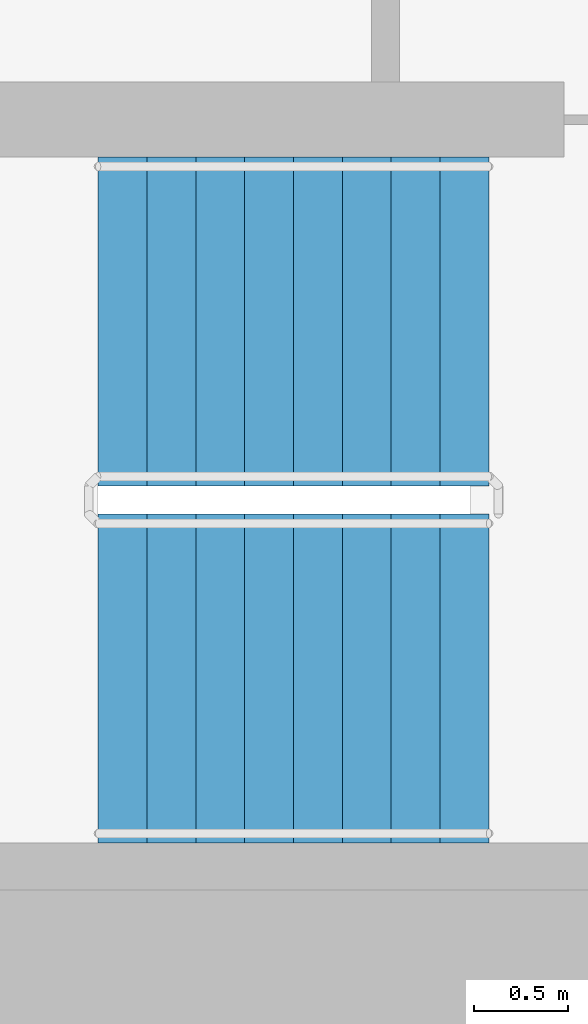
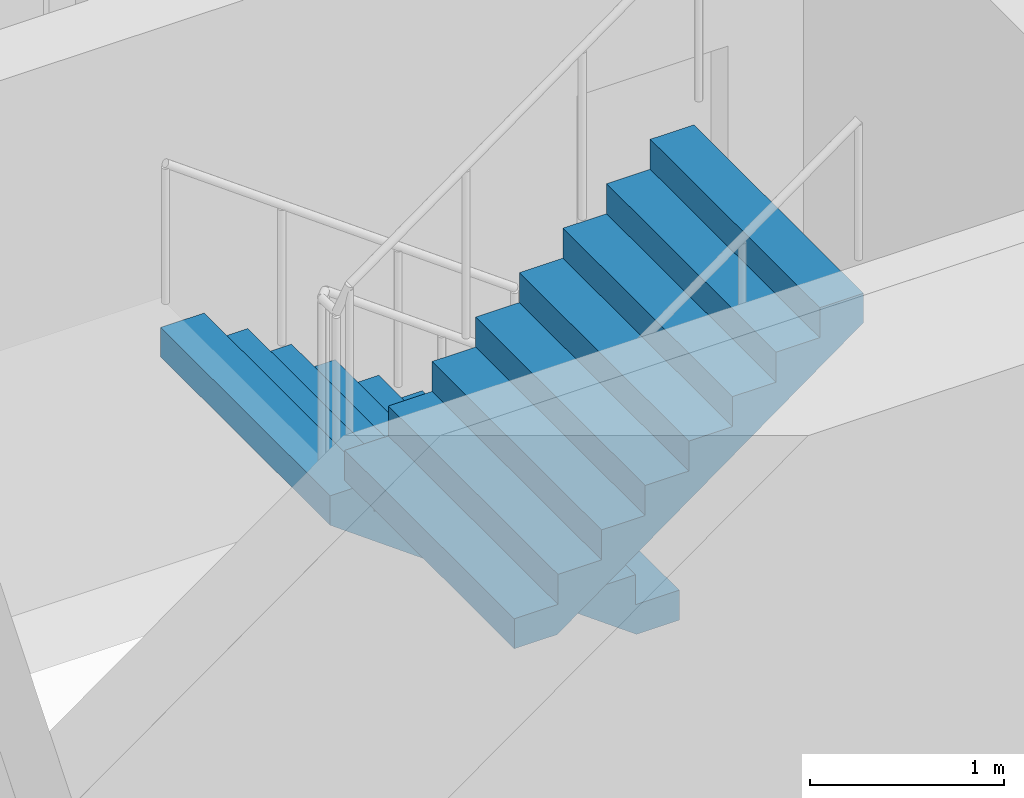
# One storey, part 15 of 21: 2 stair flights, 1 element without a shape of its own.
"""IFC4 building model written with IfcOpenShell, lengths in metres."""

from ifc_helpers import new_model, si_unit, direction, frame, origin, place, context, subcontext, project, spatial, faceted_brep, material, type_object, element, aggregate, save


model = new_model("IFC4")

# Units and contexts
model_context = context("Model", 3, precision=1e-05, world=origin(), true_north=direction((0.0, 1.0)))
body_context = subcontext(model_context, "Body", "Model", "MODEL_VIEW")
ifc_project = project(units=[si_unit("LENGTHUNIT", "METRE"), si_unit("AREAUNIT", "SQUARE_METRE"), si_unit("VOLUMEUNIT", "CUBIC_METRE"), si_unit("PLANEANGLEUNIT", "RADIAN"), si_unit("MASSUNIT", "GRAM", prefix="KILO")], contexts=[model_context])

# Site, building, storey
site_placement = place(None, origin())
site = spatial("IfcSite", under=ifc_project, at=site_placement, CompositionType="ELEMENT")
building_placement = place(site_placement, origin())
building = spatial("IfcBuilding", under=site, at=building_placement, Name="Ipe Terrace Towers", CompositionType="ELEMENT")
storey_placement = place(building_placement, frame((0.0, 0.0, 83.39990234375)))
storey = spatial("IfcBuildingStorey", under=building, at=storey_placement, Name="L22", CompositionType="ELEMENT", Elevation=83.39990234375)

# Stair, stair flights
ifc_material_1 = material(Name="Concrete C30/37", Category="concrete")
stair_type = type_object("IfcStairType", Name="Protected exit stair", PredefinedType="HALF_TURN_STAIR", material=ifc_material_1)
stair_placement = place(storey_placement, origin())
stair = element("IfcStair", 1, at=stair_placement, inside=storey, type_object=stair_type, Name="L22 Exit stair T1-C2", PredefinedType="HALF_TURN_STAIR")
ifc_material_2 = material(Name="Concrete C30/37", Category="concrete")
stair_flight_type = type_object("IfcStairFlightType", Name="Exit stair flight 1750", PredefinedType="STRAIGHT", material=ifc_material_2)
stair_flight_1_placement = place(storey_placement, frame((-45.699951171875, -2.77490234375, 0.0), z_axis=(0.0, 0.0, 1.0), x_axis=(-1.0, 0.0, 0.0)))
stair_flight_1 = element("IfcStairFlight", 2, at=stair_flight_1_placement, type_object=stair_flight_type, Name="T1-ST2 flight 1", NumberOfRisers=9, NumberOfTreads=8, PredefinedType="STRAIGHT", RiserHeight=0.188888889, TreadLength=0.26, context=body_context, shape_type="Brep", body=[
    faceted_brep([(0.255126953125, -0.875, 0.0), (2.080078125, -0.875, 1.325927734375), (2.080078125, -0.875, 1.51123046875), (1.820068359375, -0.875, 1.51123046875), (1.820068359375, -0.875, 1.322265625), (1.56005859375, -0.875, 1.322265625), (1.56005859375, -0.875, 1.13330078125), (1.300048828125, -0.875, 1.13330078125), (1.300048828125, -0.875, 0.9443359375), (1.0400390625, -0.875, 0.9443359375), (1.0400390625, -0.875, 0.755615234375), (0.780029296875, -0.875, 0.755615234375), (0.780029296875, -0.875, 0.566650390625), (0.52001953125, -0.875, 0.566650390625), (0.52001953125, -0.875, 0.377685546875), (0.260009765625, -0.875, 0.377685546875), (0.260009765625, -0.875, 0.18896484375), (0.0, -0.875, 0.18896484375), (0.0, -0.875, 0.0), (0.0, 0.875, 0.0), (0.0, 0.875, 0.18896484375), (0.260009765625, 0.875, 0.18896484375), (0.260009765625, 0.875, 0.377685546875), (0.52001953125, 0.875, 0.377685546875), (0.52001953125, 0.875, 0.566650390625), (0.780029296875, 0.875, 0.566650390625), (0.780029296875, 0.875, 0.755615234375), (1.0400390625, 0.875, 0.755615234375), (1.0400390625, 0.875, 0.9443359375), (1.300048828125, 0.875, 0.9443359375), (1.300048828125, 0.875, 1.13330078125), (1.56005859375, 0.875, 1.13330078125), (1.56005859375, 0.875, 1.322265625), (1.820068359375, 0.875, 1.322265625), (1.820068359375, 0.875, 1.51123046875), (2.080078125, 0.875, 1.51123046875), (2.080078125, 0.875, 1.325927734375), (0.255126953125, 0.875, 0.0), (0.0, -0.300048828125, 0.18896484375), (0.0, -0.1201171875, 0.18896484375), (0.0, -0.06005859375, 0.18896484375), (0.0, -0.030029296875, 0.18896484375), (0.0, -0.010009765625, 0.18896484375), (0.0, 0.0, 0.18896484375), (0.0, 0.010009765625, 0.18896484375), (0.0, 0.030029296875, 0.18896484375), (0.0, 0.06005859375, 0.18896484375), (0.0, 0.1201171875, 0.18896484375), (0.0, 0.300048828125, 0.18896484375), (0.0, 0.300048828125, 0.0), (0.0, 0.1201171875, 0.0), (0.0, 0.06005859375, 0.0), (0.0, 0.030029296875, 0.0), (0.0, 0.010009765625, 0.0), (0.0, 0.0, 0.0), (0.0, -0.010009765625, 0.0), (0.0, -0.030029296875, 0.0), (0.0, -0.06005859375, 0.0), (0.0, -0.1201171875, 0.0), (0.0, -0.300048828125, 0.0), (0.260009765625, -0.300048828125, 0.18896484375), (0.260009765625, -0.1201171875, 0.18896484375), (0.260009765625, -0.06005859375, 0.18896484375), (0.260009765625, -0.030029296875, 0.18896484375), (0.260009765625, -0.010009765625, 0.18896484375), (0.260009765625, 0.0, 0.18896484375), (0.260009765625, 0.010009765625, 0.18896484375), (0.260009765625, 0.030029296875, 0.18896484375), (0.260009765625, 0.06005859375, 0.18896484375), (0.260009765625, 0.1201171875, 0.18896484375), (0.260009765625, 0.300048828125, 0.18896484375), (0.260009765625, -0.300048828125, 0.377685546875), (0.260009765625, -0.1201171875, 0.377685546875), (0.260009765625, -0.06005859375, 0.377685546875), (0.260009765625, -0.030029296875, 0.377685546875), (0.260009765625, -0.010009765625, 0.377685546875), (0.260009765625, 0.0, 0.377685546875), (0.260009765625, 0.010009765625, 0.377685546875), (0.260009765625, 0.030029296875, 0.377685546875), (0.260009765625, 0.06005859375, 0.377685546875), (0.260009765625, 0.1201171875, 0.377685546875), (0.260009765625, 0.300048828125, 0.377685546875), (0.52001953125, -0.300048828125, 0.377685546875), (0.52001953125, -0.1201171875, 0.377685546875), (0.52001953125, -0.06005859375, 0.377685546875), (0.52001953125, -0.030029296875, 0.377685546875), (0.52001953125, -0.010009765625, 0.377685546875), (0.52001953125, 0.0, 0.377685546875), (0.52001953125, 0.010009765625, 0.377685546875), (0.52001953125, 0.030029296875, 0.377685546875), (0.52001953125, 0.06005859375, 0.377685546875), (0.52001953125, 0.1201171875, 0.377685546875), (0.52001953125, 0.300048828125, 0.377685546875), (0.52001953125, -0.300048828125, 0.566650390625), (0.52001953125, -0.1201171875, 0.566650390625), (0.52001953125, -0.06005859375, 0.566650390625), (0.52001953125, -0.030029296875, 0.566650390625), (0.52001953125, -0.010009765625, 0.566650390625), (0.52001953125, 0.0, 0.566650390625), (0.52001953125, 0.010009765625, 0.566650390625), (0.52001953125, 0.030029296875, 0.566650390625), (0.52001953125, 0.06005859375, 0.566650390625), (0.52001953125, 0.1201171875, 0.566650390625), (0.52001953125, 0.300048828125, 0.566650390625), (0.780029296875, -0.300048828125, 0.566650390625), (0.780029296875, -0.1201171875, 0.566650390625), (0.780029296875, -0.06005859375, 0.566650390625), (0.780029296875, -0.030029296875, 0.566650390625), (0.780029296875, -0.010009765625, 0.566650390625), (0.780029296875, 0.0, 0.566650390625), (0.780029296875, 0.010009765625, 0.566650390625), (0.780029296875, 0.030029296875, 0.566650390625), (0.780029296875, 0.06005859375, 0.566650390625), (0.780029296875, 0.1201171875, 0.566650390625), (0.780029296875, 0.300048828125, 0.566650390625), (0.780029296875, -0.300048828125, 0.755615234375), (0.780029296875, -0.1201171875, 0.755615234375), (0.780029296875, -0.06005859375, 0.755615234375), (0.780029296875, -0.030029296875, 0.755615234375), (0.780029296875, -0.010009765625, 0.755615234375), (0.780029296875, 0.0, 0.755615234375), (0.780029296875, 0.010009765625, 0.755615234375), (0.780029296875, 0.030029296875, 0.755615234375), (0.780029296875, 0.06005859375, 0.755615234375), (0.780029296875, 0.1201171875, 0.755615234375), (0.780029296875, 0.300048828125, 0.755615234375), (1.0400390625, -0.300048828125, 0.755615234375), (1.0400390625, -0.1201171875, 0.755615234375), (1.0400390625, -0.06005859375, 0.755615234375), (1.0400390625, -0.030029296875, 0.755615234375), (1.0400390625, -0.010009765625, 0.755615234375), (1.0400390625, 0.0, 0.755615234375), (1.0400390625, 0.010009765625, 0.755615234375), (1.0400390625, 0.030029296875, 0.755615234375), (1.0400390625, 0.06005859375, 0.755615234375), (1.0400390625, 0.1201171875, 0.755615234375), (1.0400390625, 0.300048828125, 0.755615234375), (1.0400390625, -0.300048828125, 0.9443359375), (1.0400390625, -0.1201171875, 0.9443359375), (1.0400390625, -0.06005859375, 0.9443359375), (1.0400390625, -0.030029296875, 0.9443359375), (1.0400390625, -0.010009765625, 0.9443359375), (1.0400390625, 0.0, 0.9443359375), (1.0400390625, 0.010009765625, 0.9443359375), (1.0400390625, 0.030029296875, 0.9443359375), (1.0400390625, 0.06005859375, 0.9443359375), (1.0400390625, 0.1201171875, 0.9443359375), (1.0400390625, 0.300048828125, 0.9443359375), (1.300048828125, -0.300048828125, 0.9443359375), (1.300048828125, -0.1201171875, 0.9443359375), (1.300048828125, -0.06005859375, 0.9443359375), (1.300048828125, -0.030029296875, 0.9443359375), (1.300048828125, -0.010009765625, 0.9443359375), (1.300048828125, 0.0, 0.9443359375), (1.300048828125, 0.010009765625, 0.9443359375), (1.300048828125, 0.030029296875, 0.9443359375), (1.300048828125, 0.06005859375, 0.9443359375), (1.300048828125, 0.1201171875, 0.9443359375), (1.300048828125, 0.300048828125, 0.9443359375), (1.300048828125, -0.300048828125, 1.13330078125), (1.300048828125, -0.1201171875, 1.13330078125), (1.300048828125, -0.06005859375, 1.13330078125), (1.300048828125, -0.030029296875, 1.13330078125), (1.300048828125, -0.010009765625, 1.13330078125), (1.300048828125, 0.0, 1.13330078125), (1.300048828125, 0.010009765625, 1.13330078125), (1.300048828125, 0.030029296875, 1.13330078125), (1.300048828125, 0.06005859375, 1.13330078125), (1.300048828125, 0.1201171875, 1.13330078125), (1.300048828125, 0.300048828125, 1.13330078125), (1.56005859375, -0.300048828125, 1.13330078125), (1.56005859375, -0.1201171875, 1.13330078125), (1.56005859375, -0.06005859375, 1.13330078125), (1.56005859375, -0.030029296875, 1.13330078125), (1.56005859375, -0.010009765625, 1.13330078125), (1.56005859375, 0.0, 1.13330078125), (1.56005859375, 0.010009765625, 1.13330078125), (1.56005859375, 0.030029296875, 1.13330078125), (1.56005859375, 0.06005859375, 1.13330078125), (1.56005859375, 0.1201171875, 1.13330078125), (1.56005859375, 0.300048828125, 1.13330078125), (1.56005859375, -0.300048828125, 1.322265625), (1.56005859375, -0.1201171875, 1.322265625), (1.56005859375, -0.06005859375, 1.322265625), (1.56005859375, -0.030029296875, 1.322265625), (1.56005859375, -0.010009765625, 1.322265625), (1.56005859375, 0.0, 1.322265625), (1.56005859375, 0.010009765625, 1.322265625), (1.56005859375, 0.030029296875, 1.322265625), (1.56005859375, 0.06005859375, 1.322265625), (1.56005859375, 0.1201171875, 1.322265625), (1.56005859375, 0.300048828125, 1.322265625), (1.820068359375, -0.300048828125, 1.322265625), (1.820068359375, -0.1201171875, 1.322265625), (1.820068359375, -0.06005859375, 1.322265625), (1.820068359375, -0.030029296875, 1.322265625), (1.820068359375, -0.010009765625, 1.322265625), (1.820068359375, 0.0, 1.322265625), (1.820068359375, 0.010009765625, 1.322265625), (1.820068359375, 0.030029296875, 1.322265625), (1.820068359375, 0.06005859375, 1.322265625), (1.820068359375, 0.1201171875, 1.322265625), (1.820068359375, 0.300048828125, 1.322265625), (1.820068359375, -0.300048828125, 1.51123046875), (1.820068359375, -0.1201171875, 1.51123046875), (1.820068359375, -0.06005859375, 1.51123046875), (1.820068359375, -0.030029296875, 1.51123046875), (1.820068359375, -0.010009765625, 1.51123046875), (1.820068359375, 0.0, 1.51123046875), (1.820068359375, 0.010009765625, 1.51123046875), (1.820068359375, 0.030029296875, 1.51123046875), (1.820068359375, 0.06005859375, 1.51123046875), (1.820068359375, 0.1201171875, 1.51123046875), (1.820068359375, 0.300048828125, 1.51123046875), (2.080078125, -0.300048828125, 1.51123046875), (2.080078125, -0.1201171875, 1.51123046875), (2.080078125, -0.06005859375, 1.51123046875), (2.080078125, -0.030029296875, 1.51123046875), (2.080078125, -0.010009765625, 1.51123046875), (2.080078125, 0.0, 1.51123046875), (2.080078125, 0.010009765625, 1.51123046875), (2.080078125, 0.030029296875, 1.51123046875), (2.080078125, 0.06005859375, 1.51123046875), (2.080078125, 0.1201171875, 1.51123046875), (2.080078125, 0.300048828125, 1.51123046875), (2.080078125, -0.300048828125, 1.325927734375), (2.080078125, -0.1201171875, 1.325927734375), (2.080078125, -0.06005859375, 1.325927734375), (2.080078125, -0.030029296875, 1.325927734375), (2.080078125, -0.010009765625, 1.325927734375), (2.080078125, 0.0, 1.325927734375), (2.080078125, 0.010009765625, 1.325927734375), (2.080078125, 0.030029296875, 1.325927734375), (2.080078125, 0.06005859375, 1.325927734375), (2.080078125, 0.1201171875, 1.325927734375), (2.080078125, 0.300048828125, 1.325927734375), (0.255126953125, -0.300048828125, 0.0), (0.255126953125, -0.1201171875, 0.0), (0.255126953125, -0.06005859375, 0.0), (0.255126953125, -0.030029296875, 0.0), (0.255126953125, -0.010009765625, 0.0), (0.255126953125, 0.0, 0.0), (0.255126953125, 0.010009765625, 0.0), (0.255126953125, 0.030029296875, 0.0), (0.255126953125, 0.06005859375, 0.0), (0.255126953125, 0.1201171875, 0.0), (0.255126953125, 0.300048828125, 0.0)], [[[0, 1, 2, 3, 4, 5, 6, 7, 8, 9, 10, 11, 12, 13, 14, 15, 16, 17, 18]], [[19, 20, 21, 22, 23, 24, 25, 26, 27, 28, 29, 30, 31, 32, 33, 34, 35, 36, 37]], [[17, 38, 39, 40, 41, 42, 43, 44, 45, 46, 47, 48, 20, 19, 49, 50, 51, 52, 53, 54, 55, 56, 57, 58, 59, 18]], [[16, 60, 61, 62, 63, 64, 65, 66, 67, 68, 69, 70, 21, 20, 48, 47, 46, 45, 44, 43, 42, 41, 40, 39, 38, 17]], [[15, 71, 72, 73, 74, 75, 76, 77, 78, 79, 80, 81, 22, 21, 70, 69, 68, 67, 66, 65, 64, 63, 62, 61, 60, 16]], [[14, 82, 83, 84, 85, 86, 87, 88, 89, 90, 91, 92, 23, 22, 81, 80, 79, 78, 77, 76, 75, 74, 73, 72, 71, 15]], [[13, 93, 94, 95, 96, 97, 98, 99, 100, 101, 102, 103, 24, 23, 92, 91, 90, 89, 88, 87, 86, 85, 84, 83, 82, 14]], [[12, 104, 105, 106, 107, 108, 109, 110, 111, 112, 113, 114, 25, 24, 103, 102, 101, 100, 99, 98, 97, 96, 95, 94, 93, 13]], [[11, 115, 116, 117, 118, 119, 120, 121, 122, 123, 124, 125, 26, 25, 114, 113, 112, 111, 110, 109, 108, 107, 106, 105, 104, 12]], [[10, 126, 127, 128, 129, 130, 131, 132, 133, 134, 135, 136, 27, 26, 125, 124, 123, 122, 121, 120, 119, 118, 117, 116, 115, 11]], [[9, 137, 138, 139, 140, 141, 142, 143, 144, 145, 146, 147, 28, 27, 136, 135, 134, 133, 132, 131, 130, 129, 128, 127, 126, 10]], [[8, 148, 149, 150, 151, 152, 153, 154, 155, 156, 157, 158, 29, 28, 147, 146, 145, 144, 143, 142, 141, 140, 139, 138, 137, 9]], [[7, 159, 160, 161, 162, 163, 164, 165, 166, 167, 168, 169, 30, 29, 158, 157, 156, 155, 154, 153, 152, 151, 150, 149, 148, 8]], [[6, 170, 171, 172, 173, 174, 175, 176, 177, 178, 179, 180, 31, 30, 169, 168, 167, 166, 165, 164, 163, 162, 161, 160, 159, 7]], [[5, 181, 182, 183, 184, 185, 186, 187, 188, 189, 190, 191, 32, 31, 180, 179, 178, 177, 176, 175, 174, 173, 172, 171, 170, 6]], [[4, 192, 193, 194, 195, 196, 197, 198, 199, 200, 201, 202, 33, 32, 191, 190, 189, 188, 187, 186, 185, 184, 183, 182, 181, 5]], [[3, 203, 204, 205, 206, 207, 208, 209, 210, 211, 212, 213, 34, 33, 202, 201, 200, 199, 198, 197, 196, 195, 194, 193, 192, 4]], [[2, 214, 215, 216, 217, 218, 219, 220, 221, 222, 223, 224, 35, 34, 213, 212, 211, 210, 209, 208, 207, 206, 205, 204, 203, 3]], [[1, 225, 226, 227, 228, 229, 230, 231, 232, 233, 234, 235, 36, 35, 224, 223, 222, 221, 220, 219, 218, 217, 216, 215, 214, 2]], [[0, 236, 237, 238, 239, 240, 241, 242, 243, 244, 245, 246, 37, 36, 235, 234, 233, 232, 231, 230, 229, 228, 227, 226, 225, 1]], [[18, 59, 58, 57, 56, 55, 54, 53, 52, 51, 50, 49, 19, 37, 246, 245, 244, 243, 242, 241, 240, 239, 238, 237, 236, 0]]]),
])
stair_flight_2_placement = place(storey_placement, frame((-47.780029296875, -4.675048828125, 1.7001953125), z_axis=(0.0, 0.0, 1.0), x_axis=(1.0, 0.0, 0.0)))
stair_flight_2 = element("IfcStairFlight", 3, at=stair_flight_2_placement, type_object=stair_flight_type, Name="T1-ST2 flight 2", NumberOfRisers=9, NumberOfTreads=8, PredefinedType="STRAIGHT", RiserHeight=0.188888889, TreadLength=0.26, context=body_context, shape_type="Brep", body=[
    faceted_brep([(0.255126953125, -0.875, 0.0), (2.080078125, -0.875, 1.325927734375), (2.080078125, -0.875, 1.51123046875), (1.820068359375, -0.875, 1.51123046875), (1.820068359375, -0.875, 1.322265625), (1.56005859375, -0.875, 1.322265625), (1.56005859375, -0.875, 1.13330078125), (1.300048828125, -0.875, 1.13330078125), (1.300048828125, -0.875, 0.9443359375), (1.0400390625, -0.875, 0.9443359375), (1.0400390625, -0.875, 0.755615234375), (0.780029296875, -0.875, 0.755615234375), (0.780029296875, -0.875, 0.566650390625), (0.52001953125, -0.875, 0.566650390625), (0.52001953125, -0.875, 0.377685546875), (0.260009765625, -0.875, 0.377685546875), (0.260009765625, -0.875, 0.18896484375), (0.0, -0.875, 0.18896484375), (0.0, -0.875, 0.0), (0.0, 0.875, 0.0), (0.0, 0.875, 0.18896484375), (0.260009765625, 0.875, 0.18896484375), (0.260009765625, 0.875, 0.377685546875), (0.52001953125, 0.875, 0.377685546875), (0.52001953125, 0.875, 0.566650390625), (0.780029296875, 0.875, 0.566650390625), (0.780029296875, 0.875, 0.755615234375), (1.0400390625, 0.875, 0.755615234375), (1.0400390625, 0.875, 0.9443359375), (1.300048828125, 0.875, 0.9443359375), (1.300048828125, 0.875, 1.13330078125), (1.56005859375, 0.875, 1.13330078125), (1.56005859375, 0.875, 1.322265625), (1.820068359375, 0.875, 1.322265625), (1.820068359375, 0.875, 1.51123046875), (2.080078125, 0.875, 1.51123046875), (2.080078125, 0.875, 1.325927734375), (0.255126953125, 0.875, 0.0), (0.0, -0.300048828125, 0.18896484375), (0.0, -0.1201171875, 0.18896484375), (0.0, -0.06005859375, 0.18896484375), (0.0, -0.030029296875, 0.18896484375), (0.0, -0.010009765625, 0.18896484375), (0.0, 0.0, 0.18896484375), (0.0, 0.010009765625, 0.18896484375), (0.0, 0.030029296875, 0.18896484375), (0.0, 0.06005859375, 0.18896484375), (0.0, 0.1201171875, 0.18896484375), (0.0, 0.300048828125, 0.18896484375), (0.0, 0.300048828125, 0.0), (0.0, 0.1201171875, 0.0), (0.0, 0.06005859375, 0.0), (0.0, 0.030029296875, 0.0), (0.0, 0.010009765625, 0.0), (0.0, 0.0, 0.0), (0.0, -0.010009765625, 0.0), (0.0, -0.030029296875, 0.0), (0.0, -0.06005859375, 0.0), (0.0, -0.1201171875, 0.0), (0.0, -0.300048828125, 0.0), (0.260009765625, -0.300048828125, 0.18896484375), (0.260009765625, -0.1201171875, 0.18896484375), (0.260009765625, -0.06005859375, 0.18896484375), (0.260009765625, -0.030029296875, 0.18896484375), (0.260009765625, -0.010009765625, 0.18896484375), (0.260009765625, 0.0, 0.18896484375), (0.260009765625, 0.010009765625, 0.18896484375), (0.260009765625, 0.030029296875, 0.18896484375), (0.260009765625, 0.06005859375, 0.18896484375), (0.260009765625, 0.1201171875, 0.18896484375), (0.260009765625, 0.300048828125, 0.18896484375), (0.260009765625, -0.300048828125, 0.377685546875), (0.260009765625, -0.1201171875, 0.377685546875), (0.260009765625, -0.06005859375, 0.377685546875), (0.260009765625, -0.030029296875, 0.377685546875), (0.260009765625, -0.010009765625, 0.377685546875), (0.260009765625, 0.0, 0.377685546875), (0.260009765625, 0.010009765625, 0.377685546875), (0.260009765625, 0.030029296875, 0.377685546875), (0.260009765625, 0.06005859375, 0.377685546875), (0.260009765625, 0.1201171875, 0.377685546875), (0.260009765625, 0.300048828125, 0.377685546875), (0.52001953125, -0.300048828125, 0.377685546875), (0.52001953125, -0.1201171875, 0.377685546875), (0.52001953125, -0.06005859375, 0.377685546875), (0.52001953125, -0.030029296875, 0.377685546875), (0.52001953125, -0.010009765625, 0.377685546875), (0.52001953125, 0.0, 0.377685546875), (0.52001953125, 0.010009765625, 0.377685546875), (0.52001953125, 0.030029296875, 0.377685546875), (0.52001953125, 0.06005859375, 0.377685546875), (0.52001953125, 0.1201171875, 0.377685546875), (0.52001953125, 0.300048828125, 0.377685546875), (0.52001953125, -0.300048828125, 0.566650390625), (0.52001953125, -0.1201171875, 0.566650390625), (0.52001953125, -0.06005859375, 0.566650390625), (0.52001953125, -0.030029296875, 0.566650390625), (0.52001953125, -0.010009765625, 0.566650390625), (0.52001953125, 0.0, 0.566650390625), (0.52001953125, 0.010009765625, 0.566650390625), (0.52001953125, 0.030029296875, 0.566650390625), (0.52001953125, 0.06005859375, 0.566650390625), (0.52001953125, 0.1201171875, 0.566650390625), (0.52001953125, 0.300048828125, 0.566650390625), (0.780029296875, -0.300048828125, 0.566650390625), (0.780029296875, -0.1201171875, 0.566650390625), (0.780029296875, -0.06005859375, 0.566650390625), (0.780029296875, -0.030029296875, 0.566650390625), (0.780029296875, -0.010009765625, 0.566650390625), (0.780029296875, 0.0, 0.566650390625), (0.780029296875, 0.010009765625, 0.566650390625), (0.780029296875, 0.030029296875, 0.566650390625), (0.780029296875, 0.06005859375, 0.566650390625), (0.780029296875, 0.1201171875, 0.566650390625), (0.780029296875, 0.300048828125, 0.566650390625), (0.780029296875, -0.300048828125, 0.755615234375), (0.780029296875, -0.1201171875, 0.755615234375), (0.780029296875, -0.06005859375, 0.755615234375), (0.780029296875, -0.030029296875, 0.755615234375), (0.780029296875, -0.010009765625, 0.755615234375), (0.780029296875, 0.0, 0.755615234375), (0.780029296875, 0.010009765625, 0.755615234375), (0.780029296875, 0.030029296875, 0.755615234375), (0.780029296875, 0.06005859375, 0.755615234375), (0.780029296875, 0.1201171875, 0.755615234375), (0.780029296875, 0.300048828125, 0.755615234375), (1.0400390625, -0.300048828125, 0.755615234375), (1.0400390625, -0.1201171875, 0.755615234375), (1.0400390625, -0.06005859375, 0.755615234375), (1.0400390625, -0.030029296875, 0.755615234375), (1.0400390625, -0.010009765625, 0.755615234375), (1.0400390625, 0.0, 0.755615234375), (1.0400390625, 0.010009765625, 0.755615234375), (1.0400390625, 0.030029296875, 0.755615234375), (1.0400390625, 0.06005859375, 0.755615234375), (1.0400390625, 0.1201171875, 0.755615234375), (1.0400390625, 0.300048828125, 0.755615234375), (1.0400390625, -0.300048828125, 0.9443359375), (1.0400390625, -0.1201171875, 0.9443359375), (1.0400390625, -0.06005859375, 0.9443359375), (1.0400390625, -0.030029296875, 0.9443359375), (1.0400390625, -0.010009765625, 0.9443359375), (1.0400390625, 0.0, 0.9443359375), (1.0400390625, 0.010009765625, 0.9443359375), (1.0400390625, 0.030029296875, 0.9443359375), (1.0400390625, 0.06005859375, 0.9443359375), (1.0400390625, 0.1201171875, 0.9443359375), (1.0400390625, 0.300048828125, 0.9443359375), (1.300048828125, -0.300048828125, 0.9443359375), (1.300048828125, -0.1201171875, 0.9443359375), (1.300048828125, -0.06005859375, 0.9443359375), (1.300048828125, -0.030029296875, 0.9443359375), (1.300048828125, -0.010009765625, 0.9443359375), (1.300048828125, 0.0, 0.9443359375), (1.300048828125, 0.010009765625, 0.9443359375), (1.300048828125, 0.030029296875, 0.9443359375), (1.300048828125, 0.06005859375, 0.9443359375), (1.300048828125, 0.1201171875, 0.9443359375), (1.300048828125, 0.300048828125, 0.9443359375), (1.300048828125, -0.300048828125, 1.13330078125), (1.300048828125, -0.1201171875, 1.13330078125), (1.300048828125, -0.06005859375, 1.13330078125), (1.300048828125, -0.030029296875, 1.13330078125), (1.300048828125, -0.010009765625, 1.13330078125), (1.300048828125, 0.0, 1.13330078125), (1.300048828125, 0.010009765625, 1.13330078125), (1.300048828125, 0.030029296875, 1.13330078125), (1.300048828125, 0.06005859375, 1.13330078125), (1.300048828125, 0.1201171875, 1.13330078125), (1.300048828125, 0.300048828125, 1.13330078125), (1.56005859375, -0.300048828125, 1.13330078125), (1.56005859375, -0.1201171875, 1.13330078125), (1.56005859375, -0.06005859375, 1.13330078125), (1.56005859375, -0.030029296875, 1.13330078125), (1.56005859375, -0.010009765625, 1.13330078125), (1.56005859375, 0.0, 1.13330078125), (1.56005859375, 0.010009765625, 1.13330078125), (1.56005859375, 0.030029296875, 1.13330078125), (1.56005859375, 0.06005859375, 1.13330078125), (1.56005859375, 0.1201171875, 1.13330078125), (1.56005859375, 0.300048828125, 1.13330078125), (1.56005859375, -0.300048828125, 1.322265625), (1.56005859375, -0.1201171875, 1.322265625), (1.56005859375, -0.06005859375, 1.322265625), (1.56005859375, -0.030029296875, 1.322265625), (1.56005859375, -0.010009765625, 1.322265625), (1.56005859375, 0.0, 1.322265625), (1.56005859375, 0.010009765625, 1.322265625), (1.56005859375, 0.030029296875, 1.322265625), (1.56005859375, 0.06005859375, 1.322265625), (1.56005859375, 0.1201171875, 1.322265625), (1.56005859375, 0.300048828125, 1.322265625), (1.820068359375, -0.300048828125, 1.322265625), (1.820068359375, -0.1201171875, 1.322265625), (1.820068359375, -0.06005859375, 1.322265625), (1.820068359375, -0.030029296875, 1.322265625), (1.820068359375, -0.010009765625, 1.322265625), (1.820068359375, 0.0, 1.322265625), (1.820068359375, 0.010009765625, 1.322265625), (1.820068359375, 0.030029296875, 1.322265625), (1.820068359375, 0.06005859375, 1.322265625), (1.820068359375, 0.1201171875, 1.322265625), (1.820068359375, 0.300048828125, 1.322265625), (1.820068359375, -0.300048828125, 1.51123046875), (1.820068359375, -0.1201171875, 1.51123046875), (1.820068359375, -0.06005859375, 1.51123046875), (1.820068359375, -0.030029296875, 1.51123046875), (1.820068359375, -0.010009765625, 1.51123046875), (1.820068359375, 0.0, 1.51123046875), (1.820068359375, 0.010009765625, 1.51123046875), (1.820068359375, 0.030029296875, 1.51123046875), (1.820068359375, 0.06005859375, 1.51123046875), (1.820068359375, 0.1201171875, 1.51123046875), (1.820068359375, 0.300048828125, 1.51123046875), (2.080078125, -0.300048828125, 1.51123046875), (2.080078125, -0.1201171875, 1.51123046875), (2.080078125, -0.06005859375, 1.51123046875), (2.080078125, -0.030029296875, 1.51123046875), (2.080078125, -0.010009765625, 1.51123046875), (2.080078125, 0.0, 1.51123046875), (2.080078125, 0.010009765625, 1.51123046875), (2.080078125, 0.030029296875, 1.51123046875), (2.080078125, 0.06005859375, 1.51123046875), (2.080078125, 0.1201171875, 1.51123046875), (2.080078125, 0.300048828125, 1.51123046875), (2.080078125, -0.300048828125, 1.325927734375), (2.080078125, -0.1201171875, 1.325927734375), (2.080078125, -0.06005859375, 1.325927734375), (2.080078125, -0.030029296875, 1.325927734375), (2.080078125, -0.010009765625, 1.325927734375), (2.080078125, 0.0, 1.325927734375), (2.080078125, 0.010009765625, 1.325927734375), (2.080078125, 0.030029296875, 1.325927734375), (2.080078125, 0.06005859375, 1.325927734375), (2.080078125, 0.1201171875, 1.325927734375), (2.080078125, 0.300048828125, 1.325927734375), (0.255126953125, -0.300048828125, 0.0), (0.255126953125, -0.1201171875, 0.0), (0.255126953125, -0.06005859375, 0.0), (0.255126953125, -0.030029296875, 0.0), (0.255126953125, -0.010009765625, 0.0), (0.255126953125, 0.0, 0.0), (0.255126953125, 0.010009765625, 0.0), (0.255126953125, 0.030029296875, 0.0), (0.255126953125, 0.06005859375, 0.0), (0.255126953125, 0.1201171875, 0.0), (0.255126953125, 0.300048828125, 0.0)], [[[0, 1, 2, 3, 4, 5, 6, 7, 8, 9, 10, 11, 12, 13, 14, 15, 16, 17, 18]], [[19, 20, 21, 22, 23, 24, 25, 26, 27, 28, 29, 30, 31, 32, 33, 34, 35, 36, 37]], [[17, 38, 39, 40, 41, 42, 43, 44, 45, 46, 47, 48, 20, 19, 49, 50, 51, 52, 53, 54, 55, 56, 57, 58, 59, 18]], [[16, 60, 61, 62, 63, 64, 65, 66, 67, 68, 69, 70, 21, 20, 48, 47, 46, 45, 44, 43, 42, 41, 40, 39, 38, 17]], [[15, 71, 72, 73, 74, 75, 76, 77, 78, 79, 80, 81, 22, 21, 70, 69, 68, 67, 66, 65, 64, 63, 62, 61, 60, 16]], [[14, 82, 83, 84, 85, 86, 87, 88, 89, 90, 91, 92, 23, 22, 81, 80, 79, 78, 77, 76, 75, 74, 73, 72, 71, 15]], [[13, 93, 94, 95, 96, 97, 98, 99, 100, 101, 102, 103, 24, 23, 92, 91, 90, 89, 88, 87, 86, 85, 84, 83, 82, 14]], [[12, 104, 105, 106, 107, 108, 109, 110, 111, 112, 113, 114, 25, 24, 103, 102, 101, 100, 99, 98, 97, 96, 95, 94, 93, 13]], [[11, 115, 116, 117, 118, 119, 120, 121, 122, 123, 124, 125, 26, 25, 114, 113, 112, 111, 110, 109, 108, 107, 106, 105, 104, 12]], [[10, 126, 127, 128, 129, 130, 131, 132, 133, 134, 135, 136, 27, 26, 125, 124, 123, 122, 121, 120, 119, 118, 117, 116, 115, 11]], [[9, 137, 138, 139, 140, 141, 142, 143, 144, 145, 146, 147, 28, 27, 136, 135, 134, 133, 132, 131, 130, 129, 128, 127, 126, 10]], [[8, 148, 149, 150, 151, 152, 153, 154, 155, 156, 157, 158, 29, 28, 147, 146, 145, 144, 143, 142, 141, 140, 139, 138, 137, 9]], [[7, 159, 160, 161, 162, 163, 164, 165, 166, 167, 168, 169, 30, 29, 158, 157, 156, 155, 154, 153, 152, 151, 150, 149, 148, 8]], [[6, 170, 171, 172, 173, 174, 175, 176, 177, 178, 179, 180, 31, 30, 169, 168, 167, 166, 165, 164, 163, 162, 161, 160, 159, 7]], [[5, 181, 182, 183, 184, 185, 186, 187, 188, 189, 190, 191, 32, 31, 180, 179, 178, 177, 176, 175, 174, 173, 172, 171, 170, 6]], [[4, 192, 193, 194, 195, 196, 197, 198, 199, 200, 201, 202, 33, 32, 191, 190, 189, 188, 187, 186, 185, 184, 183, 182, 181, 5]], [[3, 203, 204, 205, 206, 207, 208, 209, 210, 211, 212, 213, 34, 33, 202, 201, 200, 199, 198, 197, 196, 195, 194, 193, 192, 4]], [[2, 214, 215, 216, 217, 218, 219, 220, 221, 222, 223, 224, 35, 34, 213, 212, 211, 210, 209, 208, 207, 206, 205, 204, 203, 3]], [[1, 225, 226, 227, 228, 229, 230, 231, 232, 233, 234, 235, 36, 35, 224, 223, 222, 221, 220, 219, 218, 217, 216, 215, 214, 2]], [[0, 236, 237, 238, 239, 240, 241, 242, 243, 244, 245, 246, 37, 36, 235, 234, 233, 232, 231, 230, 229, 228, 227, 226, 225, 1]], [[18, 59, 58, 57, 56, 55, 54, 53, 52, 51, 50, 49, 19, 37, 246, 245, 244, 243, 242, 241, 240, 239, 238, 237, 236, 0]]]),
])
aggregate(stair, [stair_flight_1, stair_flight_2])

save(model, "model.ifc")
